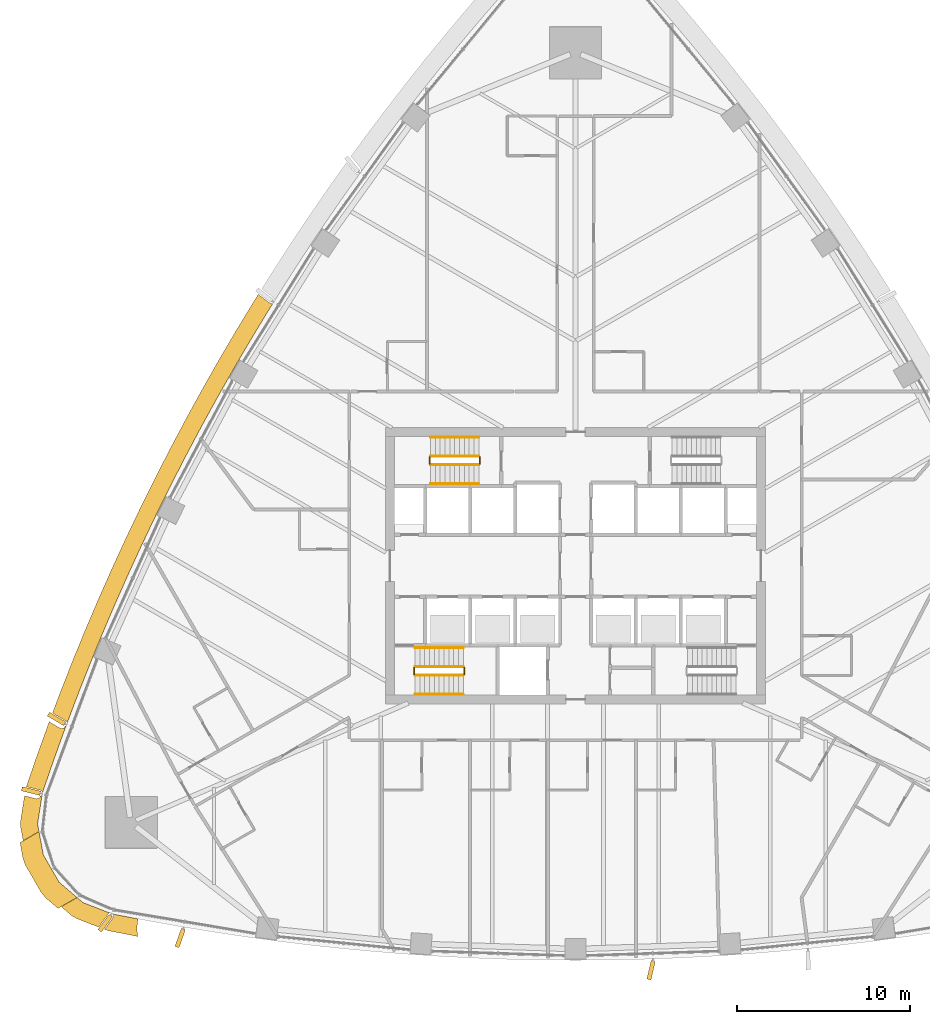
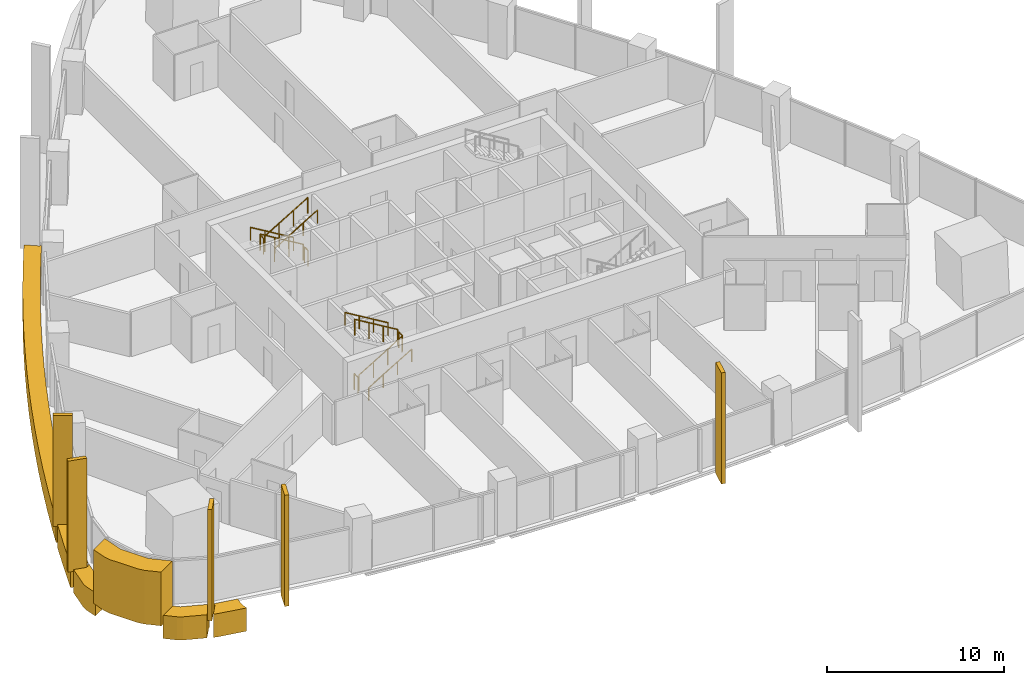
# One storey, part 19 of 22: 12 railings, 11 coverings.
"""IFC4 building model written with IfcOpenShell, lengths in metres."""

import ifcopenshell
import ifcopenshell.guid

model = None  # the IFC model being written
_history = None  # IfcOwnerHistory: only IFC2X3 demands one
_inside = {}  # id of a spatial element -> (the spatial element, [elements in it])
_under = {}  # id of a project, library or spatial element -> (it, [spatial elements below it])
_declared = {}  # id of a project -> (the project, [libraries it declares])
_typed = {}  # id of a type object -> (the type object, [elements of that type])
_made_of = {}  # id of a material, layer set ... -> (it, [elements and type objects made of it])


def new_model(schema):
    """Start an empty IFC model of exactly this schema.

    Asked for "IFC4X3", IfcOpenShell would pick the latest addendum, in which some entities
    have other attributes; the version numbers below select the first issue.
    IFC2X3 requires an IfcOwnerHistory on every rooted entity: one is made here for all.
    """
    global model, _history
    if schema == "IFC4X3":
        model = ifcopenshell.file(schema_version=(4, 3, 0, 0))
    else:
        model = ifcopenshell.file(schema=schema)
    _inside.clear()
    _under.clear()
    _declared.clear()
    _typed.clear()
    _made_of.clear()
    _history = None
    if model.schema == "IFC2X3":
        org = make("IfcOrganization", Name="unknown")
        user = make(
            "IfcPersonAndOrganization",
            ThePerson=make("IfcPerson", FamilyName="unknown"),
            TheOrganization=org,
        )
        app = make(
            "IfcApplication",
            ApplicationDeveloper=org,
            Version="unknown",
            ApplicationFullName="unknown",
            ApplicationIdentifier="unknown",
        )
        _history = make(
            "IfcOwnerHistory",
            OwningUser=user,
            OwningApplication=app,
            ChangeAction="ADDED",
            CreationDate=0,
        )
    return model


def make(cls, **values):
    """One entity of the class cls with the attributes given. An attribute that is None is left unset."""
    return model.create_entity(
        cls, **{name: value for name, value in values.items() if value is not None}
    )


def rooted(cls, **values):
    """An entity with a GlobalId (a new one), such as an element, a storey or a relation."""
    return make(cls, GlobalId=ifcopenshell.guid.new(), OwnerHistory=_history, **values)


def si_unit(unit_type, name, prefix=None):
    """IfcSIUnit, for example si_unit("LENGTHUNIT", "METRE", prefix="MILLI")."""
    return make("IfcSIUnit", UnitType=unit_type, Prefix=prefix, Name=name)


def assignment(units):
    """IfcUnitAssignment: the units of a project."""
    return None if units is None else make("IfcUnitAssignment", Units=units)


def point(xyz):
    """IfcCartesianPoint."""
    return None if xyz is None else make("IfcCartesianPoint", Coordinates=xyz)


def direction(xyz):
    """IfcDirection."""
    return None if xyz is None else make("IfcDirection", DirectionRatios=xyz)


def frame(location, z_axis=None, x_axis=None):
    """IfcAxis2Placement3D, a coordinate frame: its origin and axes. An axis left out is left unset."""
    return make(
        "IfcAxis2Placement3D",
        Location=point(location),
        Axis=direction(z_axis),
        RefDirection=direction(x_axis),
    )


def frame_2d(location, x_axis=None):
    """IfcAxis2Placement2D, a coordinate frame in the plane: its origin and x axis."""
    return make(
        "IfcAxis2Placement2D", Location=point(location), RefDirection=direction(x_axis)
    )


def origin():
    """The frame at (0, 0, 0) with its axes left unset."""
    return frame((0.0, 0.0, 0.0))


def origin_2d():
    """The frame at (0, 0) in the plane with its x axis left unset."""
    return frame_2d((0.0, 0.0))


def place(relative_to, where):
    """IfcLocalPlacement: puts the frame where relative to a parent placement (None: the world)."""
    return make(
        "IfcLocalPlacement", PlacementRelTo=relative_to, RelativePlacement=where
    )


def context(
    kind, dimensions, precision=None, world=None, true_north=None, identifier=None
):
    """IfcGeometricRepresentationContext, for example the 3D "Model" context."""
    return make(
        "IfcGeometricRepresentationContext",
        ContextIdentifier=identifier,
        ContextType=kind,
        CoordinateSpaceDimension=dimensions,
        Precision=precision,
        WorldCoordinateSystem=world,
        TrueNorth=true_north,
    )


def subcontext(parent, identifier, kind, view, scale=None):
    """IfcGeometricRepresentationSubContext, for example "Body" below "Model"."""
    return make(
        "IfcGeometricRepresentationSubContext",
        ContextIdentifier=identifier,
        ContextType=kind,
        ParentContext=parent,
        TargetScale=scale,
        TargetView=view,
    )


def project(units=None, contexts=None):
    """IfcProject with its units and contexts."""
    return rooted(
        "IfcProject",
        Name="project",
        RepresentationContexts=contexts,
        UnitsInContext=assignment(units),
    )


def spatial(cls, under=None, at=None, **own):
    """A site, building, storey or space (cls), placed at a placement, below another one or the project."""
    s = rooted(cls, ObjectPlacement=at, **own)
    if under is not None:
        _under.setdefault(under.id(), (under, []))[1].append(s)
    return s


def polyline(points):
    """IfcPolyline through the points."""
    return make("IfcPolyline", Points=[point(p) for p in points])


def profile(cls, at=None, kind="AREA", **sizes):
    """A parametric profile (cls). Its sizes go by their IFC names, for example OverallWidth=200.0."""
    return make(cls, ProfileType=kind, Position=at, **sizes)


def rectangle(**sizes):
    """IfcRectangleProfileDef."""
    return profile("IfcRectangleProfileDef", **sizes)


def circle(**sizes):
    """IfcCircleProfileDef."""
    return profile("IfcCircleProfileDef", **sizes)


def outline(outer, holes=None, kind="AREA"):
    """IfcArbitraryClosedProfileDef: a profile drawn as a closed curve; with holes, ...WithVoids."""
    if holes is None:
        return make("IfcArbitraryClosedProfileDef", ProfileType=kind, OuterCurve=outer)
    return make(
        "IfcArbitraryProfileDefWithVoids",
        ProfileType=kind,
        OuterCurve=outer,
        InnerCurves=holes,
    )


def extrude(swept, where, along, depth):
    """IfcExtrudedAreaSolid: the profile swept, set in the frame where, extruded along a direction by depth."""
    return make(
        "IfcExtrudedAreaSolid",
        SweptArea=swept,
        Position=where,
        ExtrudedDirection=direction(along),
        Depth=depth,
    )


def shape(context_of_items, identifier, shape_type, items):
    """IfcShapeRepresentation: the items that make up one representation, for example the "Body"."""
    return make(
        "IfcShapeRepresentation",
        ContextOfItems=context_of_items,
        RepresentationIdentifier=identifier,
        RepresentationType=shape_type,
        Items=items,
    )


def material(Name=None, Category=None):
    """IfcMaterial."""
    return make("IfcMaterial", Name=Name, Category=Category)


def layer(
    of_material, thickness, ventilated=None, Name=None, Category=None, Priority=None
):
    """IfcMaterialLayer: one layer of a wall or slab, of a material (None: an air gap)."""
    return make(
        "IfcMaterialLayer",
        Material=of_material,
        LayerThickness=thickness,
        IsVentilated=ventilated,
        Name=Name,
        Category=Category,
        Priority=Priority,
    )


def layer_set(layers, Name=None):
    """IfcMaterialLayerSet."""
    return make("IfcMaterialLayerSet", MaterialLayers=layers, LayerSetName=Name)


def material_profile(
    of_material, cross_section, Name=None, Category=None, Priority=None
):
    """IfcMaterialProfile: a cross section and its material."""
    return make(
        "IfcMaterialProfile",
        Name=Name,
        Material=of_material,
        Profile=cross_section,
        Priority=Priority,
        Category=Category,
    )


def profile_set(profiles, Name=None, composite=None):
    """IfcMaterialProfileSet."""
    return make(
        "IfcMaterialProfileSet",
        Name=Name,
        MaterialProfiles=profiles,
        CompositeProfile=composite,
    )


def made_of(thing, what):
    """Note that an element or type object is made of a material, layer set ...; save() writes the relation."""
    if what is not None:
        _made_of.setdefault(what.id(), (what, []))[1].append(thing)
    return thing


def type_object(cls, material=None, **own):
    """A type object (cls), such as IfcWallType, which elements share."""
    return made_of(rooted(cls, **own), material)


def element(
    cls,
    number,
    at=None,
    inside=None,
    cuts=None,
    type_object=None,
    material=None,
    context=None,
    identifier="Body",
    shape_type=None,
    held_by="IfcProductDefinitionShape",
    body=None,
    shapes=None,
    **own,
):
    """One element of the class cls, such as IfcWall. Its Tag is "e" and its number.

    at: its placement. inside: the storey or other place that contains it. cuts: it is an
    opening in that element (IfcRelVoidsElement). A single representation is given by context,
    identifier, shape_type and body (its items); several are given by shapes. held_by: the class
    of the entity that holds the representations. save() writes the other relations.
    """
    e = rooted(cls, Tag="e%d" % number, ObjectPlacement=at, **own)
    if body is not None:
        shapes = [shape(context, identifier, shape_type, body)]
    if shapes is not None:
        e.Representation = make(held_by, Representations=shapes)
    if inside is not None:
        _inside.setdefault(inside.id(), (inside, []))[1].append(e)
    if cuts is not None:
        rooted(
            "IfcRelVoidsElement", RelatingBuildingElement=cuts, RelatedOpeningElement=e
        )
    if type_object is not None:
        _typed.setdefault(type_object.id(), (type_object, []))[1].append(e)
    return made_of(e, material)


def aggregate(whole, parts):
    """IfcRelAggregates: a whole, such as a stair, and the parts it consists of."""
    return rooted("IfcRelAggregates", RelatingObject=whole, RelatedObjects=parts)


def save(model, path):
    """Write the relations noted so far, then the file.

    IfcRelAggregates (storeys below a building ...), IfcRelContainedInSpatialStructure (elements
    in a storey), IfcRelDefinesByType, IfcRelAssociatesMaterial and IfcRelDeclares: one each for
    every whole, place, type object, material and project.
    """
    for whole, parts in _under.values():
        aggregate(whole, parts)
    for where, things in _inside.values():
        rooted(
            "IfcRelContainedInSpatialStructure",
            RelatedElements=things,
            RelatingStructure=where,
        )
    for kind, things in _typed.values():
        rooted("IfcRelDefinesByType", RelatedObjects=things, RelatingType=kind)
    for what, things in _made_of.values():
        rooted("IfcRelAssociatesMaterial", RelatedObjects=things, RelatingMaterial=what)
    for by, libraries in _declared.values():
        rooted("IfcRelDeclares", RelatingContext=by, RelatedDefinitions=libraries)
    model.write(path)


model = new_model("IFC4")

# Units and contexts
model_context = context("Model", 3, precision=1e-05, world=origin(), true_north=direction((0.0, 1.0)))
body_context = subcontext(model_context, "Body", "Model", "MODEL_VIEW")
ifc_project = project(units=[si_unit("LENGTHUNIT", "METRE"), si_unit("AREAUNIT", "SQUARE_METRE"), si_unit("VOLUMEUNIT", "CUBIC_METRE"), si_unit("PLANEANGLEUNIT", "RADIAN"), si_unit("MASSUNIT", "GRAM", prefix="KILO")], contexts=[model_context])

# Site, building, storey
site_placement = place(None, origin())
site = spatial("IfcSite", under=ifc_project, at=site_placement, CompositionType="ELEMENT")
building_placement = place(site_placement, origin())
building = spatial("IfcBuilding", under=site, at=building_placement, Name="Sierra Prisma Convention Tower", CompositionType="ELEMENT")
storey_placement = place(building_placement, frame((0.0, 0.0, 96.10009765625)))
storey = spatial("IfcBuildingStorey", under=building, at=storey_placement, Name="L20", CompositionType="ELEMENT", Elevation=96.10009765625)

# Coverings
ifc_material_1 = material(Name="Aluminium composite bronze anodised", Category="aluminium")
ifc_layer_1 = layer(ifc_material_1, 1.199951171875)
ifc_layer_set_1 = layer_set([ifc_layer_1], Name="Bronze corner pier")
covering_type_1 = type_object("IfcCoveringType", Name="Bronze corner pier", PredefinedType="CLADDING", material=ifc_layer_set_1)
covering_1_placement = place(storey_placement, frame((0.0, 0.0, -0.60009765625)))
element("IfcCovering", 1, at=covering_1_placement, inside=storey, type_object=covering_type_1, Name="Corner pier SW L20.1", PredefinedType="CLADDING", context=body_context, shape_type="SweptSolid", body=[
    extrude(outline(polyline([(-31.087890625, -15.408203125), (-30.837158203125, -16.751708984375), (-29.926025390625, -18.329833984375), (-28.887939453125, -19.21875), (-29.989990234375, -19.85498046875), (-30.70654296875, -19.2412109375), (-30.96533203125, -18.9296875), (-31.876220703125, -17.351806640625), (-32.0166015625, -16.971923828125), (-32.18994140625, -16.04443359375), (-31.087890625, -15.408203125)])), origin(), (0.0, 0.0, 1.0), 3.699951171875),
])
ifc_material_2 = material(Name="Aluminium 6063-T6 bronze anodised", Category="aluminium")
ifc_material_profile = material_profile(ifc_material_2, rectangle(XDim=1.10009765625, YDim=0.25, at=origin_2d()), Name="ALU FIN 1100x250")
ifc_profile_set = profile_set([ifc_material_profile], Name="Aluminium 6063-T6 bronze anodised")
covering_type_2 = type_object("IfcCoveringType", Name="Bronze facade fin", PredefinedType="CLADDING", material=ifc_profile_set)
for number, where, z_axis, x_axis, name in (
    (2, (-27.249755859375, -20.713134765625, -0.300048828125), (0.0, 0.0, 1.0), (-0.589879635969, -0.807491185753, 0.0), "Fin L20.1"),
    (3, (-22.911376953125, -21.576904296875, -0.300048828125), (0.0, 0.0, 1.0), (-0.332054379707, -0.943260244534, 0.0), "Fin L20.2"),
    (4, (4.3779296875, -23.438232421875, -0.300048828125), (0.0, 0.0, 1.0), (-0.224235576822, -0.974534969145, 0.0), "Fin L20.11"),
    (5, (-30.07470703125, -8.87451171875, -0.300048828125), (0.0, 0.0, 1.0), (-0.860684410284, 0.509138827722, 0.0), "Fin L20.59"),
    (6, (-31.550048828125, -13.0517578125, -0.300048828125), (0.0, 0.0, 1.0), (-0.970919346376, 0.239406814506, 0.0), "Fin L20.60"),
):
    element("IfcCovering", number, at=place(storey_placement, frame(where, z_axis=z_axis, x_axis=x_axis)), inside=storey, type_object=covering_type_2, Name=name, ObjectType="FIN", PredefinedType="CLADDING", context=body_context, shape_type="SweptSolid", body=[
        extrude(rectangle(XDim=1.10009765625, YDim=0.25, at=origin_2d()), origin(), (0.0, 0.0, 1.0), 7.64990234375),
    ])
ifc_material_3 = material(Name="Aluminium composite bronze anodised", Category="aluminium")
ifc_layer_2 = layer(ifc_material_3, 1.0)
ifc_layer_set_2 = layer_set([ifc_layer_2], Name="Bronze spandrel band")
covering_type_3 = type_object("IfcCoveringType", Name="Bronze spandrel band", PredefinedType="CLADDING", material=ifc_layer_set_2)
covering_2_placement = place(storey_placement, frame((0.0, 0.0, -1.60009765625)))
element("IfcCovering", 7, at=covering_2_placement, inside=storey, type_object=covering_type_3, Name="Spandrel band L20.1", PredefinedType="CLADDING", context=body_context, shape_type="SweptSolid", body=[
    extrude(outline(polyline([(-30.87109375, -13.101806640625), (-30.951904296875, -13.025634765625), (-30.955810546875, -13.0224609375), (-30.960205078125, -13.01953125), (-30.964599609375, -13.01708984375), (-30.969482421875, -13.01513671875), (-30.974365234375, -13.013671875), (-31.825927734375, -12.8037109375), (-31.209228515625, -11.010009765625), (-31.20458984375, -10.99658203125), (-30.551025390625, -9.180419921875), (-30.546142578125, -9.1669921875), (-30.49658203125, -9.03515625), (-29.848388671875, -9.4189453125), (-29.84423828125, -9.421142578125), (-29.83984375, -9.4228515625), (-29.83544921875, -9.42431640625), (-29.830810546875, -9.42529296875), (-29.826416015625, -9.42578125), (-29.82177734375, -9.42578125), (-29.81689453125, -9.425537109375), (-29.65869140625, -9.406982421875), (-29.65380859375, -9.40625), (-29.64892578125, -9.40478515625), (-29.644287109375, -9.403076171875), (-29.639892578125, -9.40087890625), (-29.6357421875, -9.398193359375), (-29.631591796875, -9.395263671875), (-29.628173828125, -9.3916015625), (-29.625, -9.387939453125), (-29.6220703125, -9.3837890625), (-29.61962890625, -9.37939453125), (-29.61767578125, -9.375), (-29.5908203125, -9.3037109375), (-29.5263671875, -9.29638671875), (-29.610107421875, -9.518798828125), (-30.263671875, -11.335205078125), (-30.87109375, -13.101806640625)])), origin(), (0.0, 0.0, 1.0), 1.60009765625),
])
covering_3_placement = place(storey_placement, frame((0.0, 0.0, -1.60009765625)))
element("IfcCovering", 8, at=covering_3_placement, inside=storey, type_object=covering_type_3, Name="Spandrel band L20.2", PredefinedType="CLADDING", context=body_context, shape_type="SweptSolid", body=[
    extrude(outline(polyline([(-28.8798828125, -19.2255859375), (-28.5419921875, -19.514892578125), (-26.988525390625, -20.115966796875), (-27.05126953125, -20.152099609375), (-27.0556640625, -20.15478515625), (-27.059814453125, -20.158203125), (-27.0634765625, -20.16162109375), (-27.066650390625, -20.165771484375), (-27.631591796875, -20.939208984375), (-28.90283203125, -20.447509765625), (-29.1923828125, -20.2744140625), (-29.798095703125, -19.755859375), (-28.8798828125, -19.2255859375)])), origin(), (0.0, 0.0, 1.0), 1.60009765625),
])
covering_4_placement = place(storey_placement, frame((0.0, 0.0, -1.60009765625)))
element("IfcCovering", 9, at=covering_4_placement, inside=storey, type_object=covering_type_3, Name="Spandrel band L20.3", PredefinedType="CLADDING", context=body_context, shape_type="SweptSolid", body=[
    extrude(outline(polyline([(-31.05419921875, -13.443115234375), (-31.050048828125, -13.44091796875), (-31.0458984375, -13.43798828125), (-31.04248046875, -13.43505859375), (-31.0390625, -13.431640625), (-31.035888671875, -13.427734375), (-31.033447265625, -13.423828125), (-31.031005859375, -13.419677734375), (-31.029296875, -13.415283203125), (-31.02783203125, -13.41064453125), (-31.02685546875, -13.406005859375), (-31.017822265625, -13.34765625), (-30.9140625, -13.308349609375), (-31.17138671875, -14.960693359375), (-31.08984375, -15.39794921875), (-32.00830078125, -15.927978515625), (-32.154541015625, -15.144287109375), (-32.15966796875, -14.806884765625), (-31.92919921875, -13.327392578125), (-31.22900390625, -13.500244140625), (-31.22412109375, -13.501220703125), (-31.218994140625, -13.501708984375), (-31.214111328125, -13.501708984375), (-31.208984375, -13.501220703125), (-31.2041015625, -13.5), (-31.199462890625, -13.498291015625), (-31.05859375, -13.445068359375), (-31.05419921875, -13.443115234375)])), origin(), (0.0, 0.0, 1.0), 1.60009765625),
])
covering_5_placement = place(storey_placement, frame((0.0, 0.0, -1.60009765625)))
element("IfcCovering", 10, at=covering_5_placement, inside=storey, type_object=covering_type_3, Name="Spandrel band L20.4", PredefinedType="CLADDING", context=body_context, shape_type="SweptSolid", body=[
    extrude(outline(polyline([(-24.354736328125, 5.093505859375), (-23.474365234375, 6.811279296875), (-23.4677734375, 6.82373046875), (-22.562744140625, 8.52880859375), (-22.55615234375, 8.541259765625), (-21.626953125, 10.23291015625), (-21.6201171875, 10.24560546875), (-20.6669921875, 11.923828125), (-20.659912109375, 11.936279296875), (-19.682861328125, 13.600830078125), (-19.675537109375, 13.613037109375), (-18.675048828125, 15.263427734375), (-18.66748046875, 15.275634765625), (-18.381591796875, 15.732666015625), (-17.688720703125, 15.209716796875), (-17.6845703125, 15.206787109375), (-17.679931640625, 15.204345703125), (-17.67529296875, 15.202392578125), (-17.670654296875, 15.200927734375), (-17.66552734375, 15.2001953125), (-17.66064453125, 15.19970703125), (-17.53857421875, 15.194580078125), (-17.81982421875, 14.7451171875), (-18.8203125, 13.094482421875), (-19.4833984375, 11.965087890625), (-19.484619140625, 11.96435546875), (-19.48828125, 11.961181640625), (-19.49169921875, 11.95751953125), (-19.49462890625, 11.95361328125), (-19.497314453125, 11.94970703125), (-19.7958984375, 11.4326171875), (-19.79736328125, 11.429931640625), (-19.798828125, 11.427490234375), (-20.097412109375, 10.910400390625), (-20.099609375, 10.906005859375), (-20.101318359375, 10.901611328125), (-20.102783203125, 10.896728515625), (-20.103515625, 10.891845703125), (-20.103759765625, 10.890380859375), (-20.75048828125, 9.751708984375), (-21.679443359375, 8.059814453125), (-22.58447265625, 6.35498046875), (-23.46484375, 4.637451171875), (-23.76025390625, 4.040283203125), (-23.761962890625, 4.039306640625), (-23.765380859375, 4.035888671875), (-23.768310546875, 4.031982421875), (-23.77099609375, 4.028076171875), (-23.7734375, 4.02392578125), (-24.302978515625, 2.947021484375), (-24.304931640625, 2.9423828125), (-24.306396484375, 2.93798828125), (-24.30712890625, 2.935302734375), (-24.32080078125, 2.907470703125), (-25.152099609375, 1.16552734375), (-25.958251953125, -0.588134765625), (-26.739501953125, -2.35302734375), (-27.495361328125, -4.12890625), (-27.507080078125, -4.15771484375), (-27.5087890625, -4.16015625), (-27.51123046875, -4.164306640625), (-27.51318359375, -4.16845703125), (-27.97021484375, -5.2783203125), (-27.9716796875, -5.28271484375), (-27.972900390625, -5.28759765625), (-27.9736328125, -5.29248046875), (-27.973876953125, -5.29736328125), (-27.9736328125, -5.299072265625), (-28.225830078125, -5.91552734375), (-28.930908203125, -7.71240234375), (-29.449462890625, -9.091796875), (-29.49560546875, -9.02001953125), (-29.498291015625, -9.01611328125), (-29.50146484375, -9.0126953125), (-29.504638671875, -9.009521484375), (-29.50830078125, -9.006591796875), (-29.51220703125, -9.00390625), (-30.307861328125, -8.533203125), (-29.86669921875, -7.3603515625), (-29.86181640625, -7.34716796875), (-29.15673828125, -5.55029296875), (-29.1513671875, -5.537109375), (-28.4208984375, -3.75048828125), (-28.415283203125, -3.7373046875), (-27.659423828125, -1.96142578125), (-27.65380859375, -1.948486328125), (-26.872802734375, -0.183349609375), (-26.86669921875, -0.17041015625), (-26.060546875, 1.583251953125), (-26.054443359375, 1.59619140625), (-25.223388671875, 3.338134765625), (-25.217041015625, 3.350830078125), (-24.361083984375, 5.080810546875), (-24.354736328125, 5.093505859375)])), origin(), (0.0, 0.0, 1.0), 1.60009765625),
])
covering_6_placement = place(storey_placement, frame((0.0, 0.0, -1.60009765625)))
element("IfcCovering", 11, at=covering_6_placement, inside=storey, type_object=covering_type_3, Name="Spandrel band L20.11", PredefinedType="CLADDING", context=body_context, shape_type="SweptSolid", body=[
    extrude(outline(polyline([(-26.7744140625, -20.339599609375), (-26.784912109375, -20.18359375), (-25.3486328125, -20.46337890625), (-25.3720703125, -20.603515625), (-25.40087890625, -20.849365234375), (-25.405517578125, -21.096923828125), (-25.3857421875, -21.343994140625), (-25.361083984375, -21.479736328125), (-27.033935546875, -21.15380859375), (-27.20361328125, -21.10498046875), (-27.293701171875, -21.070068359375), (-26.783935546875, -20.372314453125), (-26.78125, -20.3681640625), (-26.779052734375, -20.36376953125), (-26.777099609375, -20.359130859375), (-26.77587890625, -20.354248046875), (-26.77490234375, -20.349365234375), (-26.7744140625, -20.344482421875), (-26.7744140625, -20.339599609375)])), origin(), (0.0, 0.0, 1.0), 1.60009765625),
])

# Railings
ifc_material_4 = material(Name="Stainless steel", Category="steel")
railing_type_1 = type_object("IfcRailingType", Name="Exit stair handrail", PredefinedType="HANDRAIL", material=ifc_material_4)
railing_1_placement = place(storey_placement, frame((-9.300048828125, -7.449951171875, 0.16796875)))
element("IfcRailing", 12, at=railing_1_placement, inside=storey, type_object=railing_type_1, Name="L20 S1 stair handrail 1", PredefinedType="HANDRAIL", context=body_context, shape_type="SweptSolid", body=[
    extrude(circle(Radius=0.02392578125, at=origin_2d()), frame((0.0, 0.0, 0.8759765625), z_axis=(0.857242210791, 0.0, 0.514913383045), x_axis=(0.0, 1.0, 0.0)), (0.0, 0.0, 1.0), 3.266357421875),
    extrude(circle(Radius=0.02099609375, at=origin_2d()), origin(), (0.0, 0.0, 1.0), 0.851806640625),
    extrude(circle(Radius=0.02099609375, at=origin_2d()), frame((0.933349609375, 0.0, 0.560546875)), (0.0, 0.0, 1.0), 0.851806640625),
    extrude(circle(Radius=0.02099609375, at=origin_2d()), frame((1.86669921875, 0.0, 1.121337890625)), (0.0, 0.0, 1.0), 0.851806640625),
    extrude(circle(Radius=0.02099609375, at=origin_2d()), frame((2.800048828125, 0.0, 1.681884765625)), (0.0, 0.0, 1.0), 0.851806640625),
])
railing_2_placement = place(storey_placement, frame((-6.5, -4.75, 2.01806640625)))
element("IfcRailing", 13, at=railing_2_placement, inside=storey, type_object=railing_type_1, Name="L20 S1 stair handrail 2", PredefinedType="HANDRAIL", context=body_context, shape_type="SweptSolid", body=[
    extrude(circle(Radius=0.02392578125, at=origin_2d()), frame((0.0, 0.0, 0.8759765625), z_axis=(-0.857242210791, 0.0, 0.514913383045), x_axis=(0.0, -1.0, 0.0)), (0.0, 0.0, 1.0), 3.266357421875),
    extrude(circle(Radius=0.02099609375, at=origin_2d()), origin(), (0.0, 0.0, 1.0), 0.851806640625),
    extrude(circle(Radius=0.02099609375, at=origin_2d()), frame((-0.933349609375, 0.0, 0.560546875)), (0.0, 0.0, 1.0), 0.851806640625),
    extrude(circle(Radius=0.02099609375, at=origin_2d()), frame((-1.86669921875, 0.0, 1.121337890625)), (0.0, 0.0, 1.0), 0.851806640625),
    extrude(circle(Radius=0.02099609375, at=origin_2d()), frame((-2.800048828125, 0.0, 1.681884765625)), (0.0, 0.0, 1.0), 0.851806640625),
])
railing_3_placement = place(storey_placement, frame((-5.60009765625, 7.449951171875, 0.16796875)))
element("IfcRailing", 14, at=railing_3_placement, inside=storey, type_object=railing_type_1, Name="L20 S3 stair handrail 1", PredefinedType="HANDRAIL", context=body_context, shape_type="SweptSolid", body=[
    extrude(circle(Radius=0.02392578125, at=origin_2d()), frame((0.0, 0.0, 0.8759765625), z_axis=(-0.857222391501, 0.0, 0.514946377315), x_axis=(0.0, -1.0, 0.0)), (0.0, 0.0, 1.0), 3.26611328125),
    extrude(circle(Radius=0.02099609375, at=origin_2d()), origin(), (0.0, 0.0, 1.0), 0.851806640625),
    extrude(circle(Radius=0.02099609375, at=origin_2d()), frame((-0.933349609375, 0.0, 0.560546875)), (0.0, 0.0, 1.0), 0.851806640625),
    extrude(circle(Radius=0.02099609375, at=origin_2d()), frame((-1.866455078125, 0.0, 1.121337890625)), (0.0, 0.0, 1.0), 0.851806640625),
    extrude(circle(Radius=0.02099609375, at=origin_2d()), frame((-2.7998046875, 0.0, 1.681884765625)), (0.0, 0.0, 1.0), 0.851806640625),
])
railing_4_placement = place(storey_placement, frame((-8.39990234375, 4.75, 2.01806640625)))
element("IfcRailing", 15, at=railing_4_placement, inside=storey, type_object=railing_type_1, Name="L20 S3 stair handrail 2", PredefinedType="HANDRAIL", context=body_context, shape_type="SweptSolid", body=[
    extrude(circle(Radius=0.02392578125, at=origin_2d()), frame((0.0, 0.0, 0.8759765625), z_axis=(0.857222391501, 0.0, 0.514946377315), x_axis=(0.0, 1.0, 0.0)), (0.0, 0.0, 1.0), 3.26611328125),
    extrude(circle(Radius=0.02099609375, at=origin_2d()), origin(), (0.0, 0.0, 1.0), 0.851806640625),
    extrude(circle(Radius=0.02099609375, at=origin_2d()), frame((0.933349609375, 0.0, 0.560546875)), (0.0, 0.0, 1.0), 0.851806640625),
    extrude(circle(Radius=0.02099609375, at=origin_2d()), frame((1.866455078125, 0.0, 1.121337890625)), (0.0, 0.0, 1.0), 0.851806640625),
    extrude(circle(Radius=0.02099609375, at=origin_2d()), frame((2.7998046875, 0.0, 1.681884765625)), (0.0, 0.0, 1.0), 0.851806640625),
])
ifc_material_5 = material(Name="Stainless steel", Category="steel")
railing_type_2 = type_object("IfcRailingType", Name="Stair guard 1100", PredefinedType="GUARDRAIL", material=ifc_material_5)
railing_5_placement = place(storey_placement, frame((-9.300048828125, -6.35009765625, 0.16796875)))
element("IfcRailing", 16, at=railing_5_placement, inside=storey, type_object=railing_type_2, Name="L20 S1 stair guard 1", PredefinedType="GUARDRAIL", context=body_context, shape_type="SweptSolid", body=[
    extrude(circle(Radius=0.02392578125, at=origin_2d()), frame((0.0, 0.0, 1.076171875), z_axis=(0.857242210791, 0.0, 0.514913383045), x_axis=(0.0, 1.0, 0.0)), (0.0, 0.0, 1.0), 3.266357421875),
    extrude(circle(Radius=0.02099609375, at=origin_2d()), origin(), (0.0, 0.0, 1.0), 1.052001953125),
    extrude(circle(Radius=0.02099609375, at=origin_2d()), frame((0.933349609375, 0.0, 0.560546875)), (0.0, 0.0, 1.0), 1.052001953125),
    extrude(circle(Radius=0.02099609375, at=origin_2d()), frame((1.86669921875, 0.0, 1.121337890625)), (0.0, 0.0, 1.0), 1.052001953125),
    extrude(circle(Radius=0.02099609375, at=origin_2d()), frame((2.800048828125, 0.0, 1.681884765625)), (0.0, 0.0, 1.0), 1.052001953125),
])
railing_6_placement = place(storey_placement, frame((-6.449951171875, -6.300048828125, 1.849853515625)))
element("IfcRailing", 17, at=railing_6_placement, inside=storey, type_object=railing_type_2, Name="L20 S1 stair guard 2", PredefinedType="GUARDRAIL", context=body_context, shape_type="SweptSolid", body=[
    extrude(circle(Radius=0.02392578125, at=origin_2d()), frame((0.0, 0.0, 1.076171875), z_axis=(0.0, 1.0, 0.0), x_axis=(-1.0, 0.0, 0.0)), (0.0, 0.0, 1.0), 0.400146484375),
    extrude(circle(Radius=0.02099609375, at=origin_2d()), origin(), (0.0, 0.0, 1.0), 1.052001953125),
    extrude(circle(Radius=0.02099609375, at=origin_2d()), frame((0.0, 0.400146484375, 0.0)), (0.0, 0.0, 1.0), 1.052001953125),
])
railing_7_placement = place(storey_placement, frame((-6.5, -5.85009765625, 2.01806640625)))
element("IfcRailing", 18, at=railing_7_placement, inside=storey, type_object=railing_type_2, Name="L20 S1 stair guard 3", PredefinedType="GUARDRAIL", context=body_context, shape_type="SweptSolid", body=[
    extrude(circle(Radius=0.02392578125, at=origin_2d()), frame((0.0, 0.0, 1.076171875), z_axis=(-0.857242210791, 0.0, 0.514913383045), x_axis=(0.0, -1.0, 0.0)), (0.0, 0.0, 1.0), 3.266357421875),
    extrude(circle(Radius=0.02099609375, at=origin_2d()), origin(), (0.0, 0.0, 1.0), 1.052001953125),
    extrude(circle(Radius=0.02099609375, at=origin_2d()), frame((-0.933349609375, 0.0, 0.560546875)), (0.0, 0.0, 1.0), 1.052001953125),
    extrude(circle(Radius=0.02099609375, at=origin_2d()), frame((-1.86669921875, 0.0, 1.121337890625)), (0.0, 0.0, 1.0), 1.052001953125),
    extrude(circle(Radius=0.02099609375, at=origin_2d()), frame((-2.800048828125, 0.0, 1.681884765625)), (0.0, 0.0, 1.0), 1.052001953125),
])
railing_8_placement = place(storey_placement, frame((-9.35009765625, -6.300048828125, 0.0)))
element("IfcRailing", 19, at=railing_8_placement, inside=storey, type_object=railing_type_2, Name="L20 S1 stair guard 4", PredefinedType="GUARDRAIL", context=body_context, shape_type="SweptSolid", body=[
    extrude(circle(Radius=0.02392578125, at=origin_2d()), frame((0.0, 0.0, 1.076171875), z_axis=(0.0, 1.0, 0.0), x_axis=(-1.0, 0.0, 0.0)), (0.0, 0.0, 1.0), 0.400146484375),
    extrude(circle(Radius=0.02099609375, at=origin_2d()), origin(), (0.0, 0.0, 1.0), 1.052001953125),
    extrude(circle(Radius=0.02099609375, at=origin_2d()), frame((0.0, 0.400146484375, 0.0)), (0.0, 0.0, 1.0), 1.052001953125),
])
railing_9_placement = place(storey_placement, frame((-5.60009765625, 6.35009765625, 0.16796875)))
element("IfcRailing", 20, at=railing_9_placement, inside=storey, type_object=railing_type_2, Name="L20 S3 stair guard 1", PredefinedType="GUARDRAIL", context=body_context, shape_type="SweptSolid", body=[
    extrude(circle(Radius=0.02392578125, at=origin_2d()), frame((0.0, 0.0, 1.076171875), z_axis=(-0.857222391501, 0.0, 0.514946377315), x_axis=(0.0, -1.0, 0.0)), (0.0, 0.0, 1.0), 3.26611328125),
    extrude(circle(Radius=0.02099609375, at=origin_2d()), origin(), (0.0, 0.0, 1.0), 1.052001953125),
    extrude(circle(Radius=0.02099609375, at=origin_2d()), frame((-0.933349609375, 0.0, 0.560546875)), (0.0, 0.0, 1.0), 1.052001953125),
    extrude(circle(Radius=0.02099609375, at=origin_2d()), frame((-1.866455078125, 0.0, 1.121337890625)), (0.0, 0.0, 1.0), 1.052001953125),
    extrude(circle(Radius=0.02099609375, at=origin_2d()), frame((-2.7998046875, 0.0, 1.681884765625)), (0.0, 0.0, 1.0), 1.052001953125),
])
railing_10_placement = place(storey_placement, frame((-8.449951171875, 6.300048828125, 1.849853515625)))
element("IfcRailing", 21, at=railing_10_placement, inside=storey, type_object=railing_type_2, Name="L20 S3 stair guard 2", PredefinedType="GUARDRAIL", context=body_context, shape_type="SweptSolid", body=[
    extrude(circle(Radius=0.02392578125, at=origin_2d()), frame((0.0, 0.0, 1.076171875), z_axis=(0.0, -1.0, 0.0), x_axis=(1.0, 0.0, 0.0)), (0.0, 0.0, 1.0), 0.400146484375),
    extrude(circle(Radius=0.02099609375, at=origin_2d()), origin(), (0.0, 0.0, 1.0), 1.052001953125),
    extrude(circle(Radius=0.02099609375, at=origin_2d()), frame((0.0, -0.400146484375, 0.0)), (0.0, 0.0, 1.0), 1.052001953125),
])
railing_11_placement = place(storey_placement, frame((-8.39990234375, 5.85009765625, 2.01806640625)))
element("IfcRailing", 22, at=railing_11_placement, inside=storey, type_object=railing_type_2, Name="L20 S3 stair guard 3", PredefinedType="GUARDRAIL", context=body_context, shape_type="SweptSolid", body=[
    extrude(circle(Radius=0.02392578125, at=origin_2d()), frame((0.0, 0.0, 1.076171875), z_axis=(0.857222391501, 0.0, 0.514946377315), x_axis=(0.0, 1.0, 0.0)), (0.0, 0.0, 1.0), 3.26611328125),
    extrude(circle(Radius=0.02099609375, at=origin_2d()), origin(), (0.0, 0.0, 1.0), 1.052001953125),
    extrude(circle(Radius=0.02099609375, at=origin_2d()), frame((0.933349609375, 0.0, 0.560546875)), (0.0, 0.0, 1.0), 1.052001953125),
    extrude(circle(Radius=0.02099609375, at=origin_2d()), frame((1.866455078125, 0.0, 1.121337890625)), (0.0, 0.0, 1.0), 1.052001953125),
    extrude(circle(Radius=0.02099609375, at=origin_2d()), frame((2.7998046875, 0.0, 1.681884765625)), (0.0, 0.0, 1.0), 1.052001953125),
])
railing_12_placement = place(storey_placement, frame((-5.550048828125, 6.300048828125, 0.0)))
element("IfcRailing", 23, at=railing_12_placement, inside=storey, type_object=railing_type_2, Name="L20 S3 stair guard 4", PredefinedType="GUARDRAIL", context=body_context, shape_type="SweptSolid", body=[
    extrude(circle(Radius=0.02392578125, at=origin_2d()), frame((0.0, 0.0, 1.076171875), z_axis=(0.0, -1.0, 0.0), x_axis=(1.0, 0.0, 0.0)), (0.0, 0.0, 1.0), 0.400146484375),
    extrude(circle(Radius=0.02099609375, at=origin_2d()), origin(), (0.0, 0.0, 1.0), 1.052001953125),
    extrude(circle(Radius=0.02099609375, at=origin_2d()), frame((0.0, -0.400146484375, 0.0)), (0.0, 0.0, 1.0), 1.052001953125),
])

save(model, "model.ifc")
